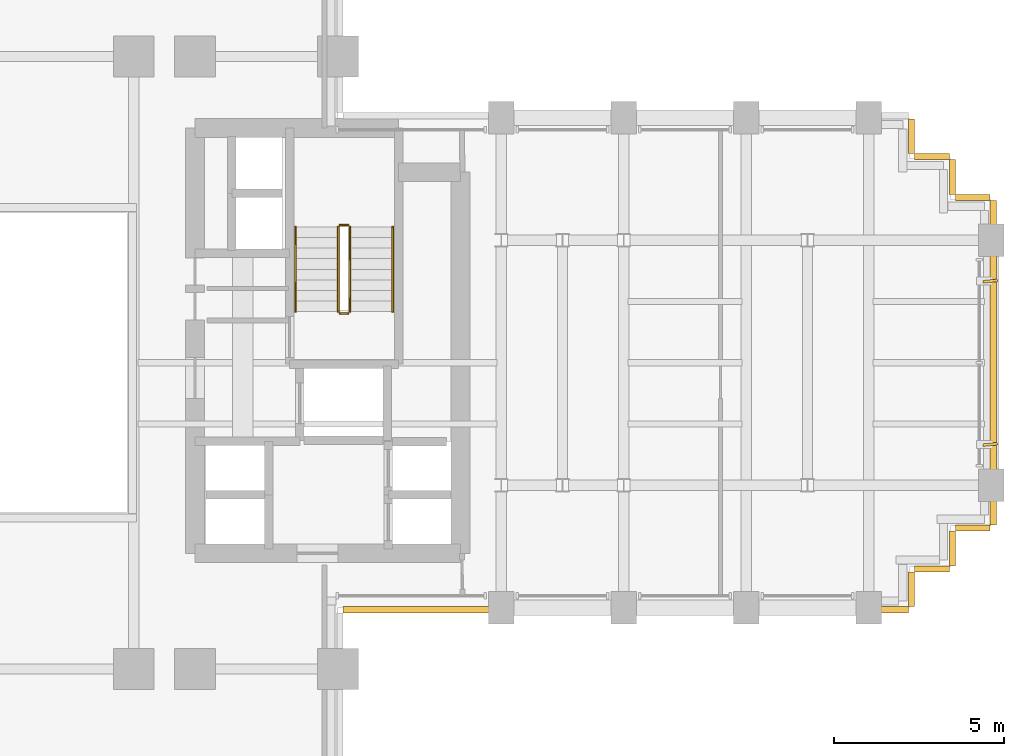
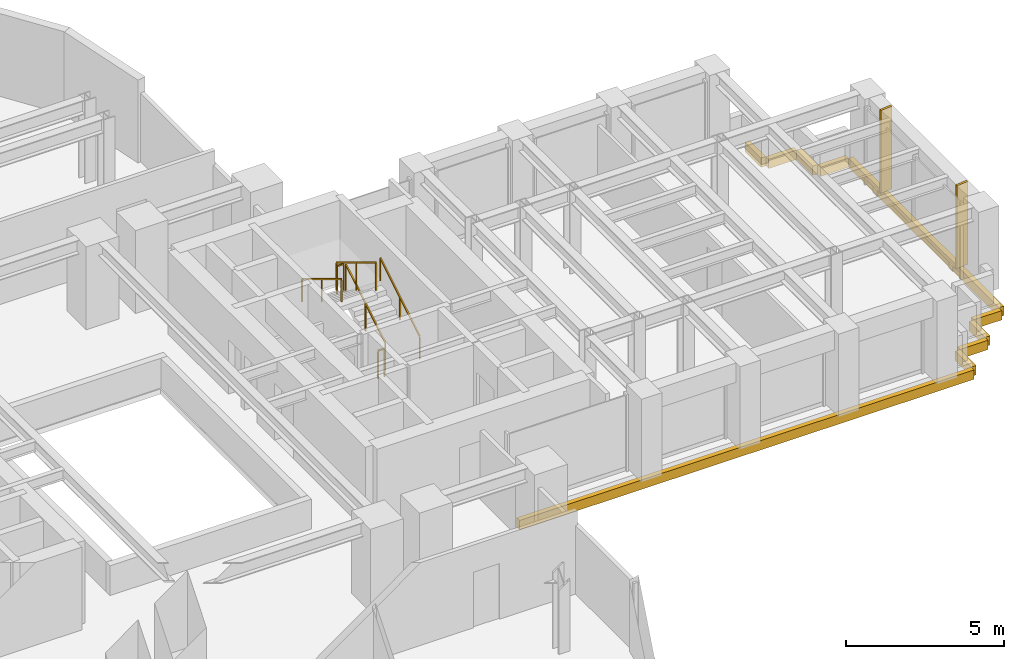
# One storey, part 15 of 16: 10 coverings, 6 railings, 2 shading devices.
"""IFC4 building model written with IfcOpenShell, lengths in metres."""

from ifc_helpers import new_model, si_unit, direction, frame, origin, origin_2d, place, context, subcontext, project, spatial, rectangle, extrude, source, transform, mapped, material, layer, layer_set, type_object, element, save


model = new_model("IFC4")

# Units and contexts
model_context = context("Model", 3, precision=1e-05, world=origin(), true_north=direction((0.0, 1.0)))
body_context = subcontext(model_context, "Body", "Model", "MODEL_VIEW")
ifc_project = project(units=[si_unit("LENGTHUNIT", "METRE"), si_unit("AREAUNIT", "SQUARE_METRE"), si_unit("VOLUMEUNIT", "CUBIC_METRE"), si_unit("PLANEANGLEUNIT", "RADIAN"), si_unit("MASSUNIT", "GRAM", prefix="KILO")], contexts=[model_context])

# Site, building, storey
site_placement = place(None, origin())
site = spatial("IfcSite", under=ifc_project, at=site_placement, CompositionType="ELEMENT")
building_placement = place(site_placement, origin())
building = spatial("IfcBuilding", under=site, at=building_placement, Name="Keilestroom Media Tower", CompositionType="ELEMENT")
storey_placement = place(building_placement, frame((0.0, 0.0, 57.800048828125)))
storey = spatial("IfcBuildingStorey", under=building, at=storey_placement, Name="L14", CompositionType="ELEMENT", Elevation=57.800048828125)

# Railings
ifc_material_1 = material(Name="Brushed Stainless Steel 1.4301", Category="steel")
railing_type_1 = type_object("IfcRailingType", Name="Stair-Pitch-Handrail-920", PredefinedType="HANDRAIL", material=ifc_material_1)
railing_1_placement = place(storey_placement, frame((11.2099609375, 1.5, 0.188720703125)))
element("IfcRailing", 1, at=railing_1_placement, inside=storey, type_object=railing_type_1, Name="L14 ST-2 stair handrail 1", PredefinedType="HANDRAIL", context=body_context, shape_type="SweptSolid", body=[
    extrude(rectangle(XDim=0.048095703125, YDim=0.048095703125, at=origin_2d()), frame((0.0, 0.0, 0.8759765625), z_axis=(0.0, 0.855433747314, 0.517912255074), x_axis=(-1.0, 0.0, 0.0)), (0.0, 0.0, 1.0), 2.91796875),
    extrude(rectangle(XDim=0.0419921875, YDim=0.0419921875, at=origin_2d()), origin(), (0.0, 0.0, 1.0), 0.84375),
    extrude(rectangle(XDim=0.0419921875, YDim=0.0419921875, at=origin_2d()), frame((0.0, 1.248046875, 0.755615234375)), (0.0, 0.0, 1.0), 0.84375),
    extrude(rectangle(XDim=0.0419921875, YDim=0.0419921875, at=origin_2d()), frame((0.0, 2.49609375, 1.51123046875)), (0.0, 0.0, 1.0), 0.84375),
])
railing_2_placement = place(storey_placement, frame((8.35009765625, 3.99609375, 1.888916015625)))
element("IfcRailing", 2, at=railing_2_placement, inside=storey, type_object=railing_type_1, Name="L14 ST-2 stair handrail 2", PredefinedType="HANDRAIL", context=body_context, shape_type="SweptSolid", body=[
    extrude(rectangle(XDim=0.048095703125, YDim=0.048095703125, at=origin_2d()), frame((0.0, 0.0, 0.8759765625), z_axis=(0.0, -0.855470815493, 0.517851024754), x_axis=(1.0, 0.0, 0.0)), (0.0, 0.0, 1.0), 2.917724609375),
    extrude(rectangle(XDim=0.0419921875, YDim=0.0419921875, at=origin_2d()), origin(), (0.0, 0.0, 1.0), 0.84375),
    extrude(rectangle(XDim=0.0419921875, YDim=0.0419921875, at=origin_2d()), frame((0.0, -1.248046875, 0.75537109375)), (0.0, 0.0, 1.0), 0.84375),
    extrude(rectangle(XDim=0.0419921875, YDim=0.0419921875, at=origin_2d()), frame((0.0, -2.49609375, 1.510986328125)), (0.0, 0.0, 1.0), 0.84375),
])
ifc_material_2 = material(Name="Painted Steel Balustrade", Category="steel")
railing_type_2 = type_object("IfcRailingType", Name="Stair-Well-And-Landing-Guard-1100", PredefinedType="GUARDRAIL", material=ifc_material_2)
railing_3_placement = place(storey_placement, frame((9.949951171875, 1.5, 0.188720703125)))
element("IfcRailing", 3, at=railing_3_placement, inside=storey, type_object=railing_type_2, Name="L14 ST-2 stair guard 1", PredefinedType="GUARDRAIL", context=body_context, shape_type="SweptSolid", body=[
    extrude(rectangle(XDim=0.048095703125, YDim=0.048095703125, at=origin_2d()), frame((0.0, 0.0, 1.076171875), z_axis=(0.0, 0.855433747314, 0.517912255074), x_axis=(-1.0, 0.0, 0.0)), (0.0, 0.0, 1.0), 2.91796875),
    extrude(rectangle(XDim=0.0419921875, YDim=0.0419921875, at=origin_2d()), origin(), (0.0, 0.0, 1.0), 1.0439453125),
    extrude(rectangle(XDim=0.0419921875, YDim=0.0419921875, at=origin_2d()), frame((0.0, 1.248046875, 0.755615234375)), (0.0, 0.0, 1.0), 1.0439453125),
    extrude(rectangle(XDim=0.0419921875, YDim=0.0419921875, at=origin_2d()), frame((0.0, 2.49609375, 1.51123046875)), (0.0, 0.0, 1.0), 1.0439453125),
])
railing_4_placement = place(storey_placement, frame((9.89990234375, 4.0458984375, 1.699951171875)))
element("IfcRailing", 4, at=railing_4_placement, inside=storey, type_object=railing_type_2, Name="L14 ST-2 stair guard 2", PredefinedType="GUARDRAIL", context=body_context, shape_type="SweptSolid", body=[
    extrude(rectangle(XDim=0.048095703125, YDim=0.048095703125, at=origin_2d()), frame((0.0, 0.0, 1.076171875), z_axis=(-1.0, 0.0, 0.0), x_axis=(0.0, -1.0, 0.0)), (0.0, 0.0, 1.0), 0.239990234375),
    extrude(rectangle(XDim=0.0419921875, YDim=0.0419921875, at=origin_2d()), origin(), (0.0, 0.0, 1.0), 1.0439453125),
    extrude(rectangle(XDim=0.0419921875, YDim=0.0419921875, at=origin_2d()), frame((-0.239990234375, 0.0, 0.0)), (0.0, 0.0, 1.0), 1.0439453125),
])
railing_5_placement = place(storey_placement, frame((9.610107421875, 3.99609375, 1.888916015625)))
element("IfcRailing", 5, at=railing_5_placement, inside=storey, type_object=railing_type_2, Name="L14 ST-2 stair guard 3", PredefinedType="GUARDRAIL", context=body_context, shape_type="SweptSolid", body=[
    extrude(rectangle(XDim=0.048095703125, YDim=0.048095703125, at=origin_2d()), frame((0.0, 0.0, 1.076171875), z_axis=(0.0, -0.855470815493, 0.517851024754), x_axis=(1.0, 0.0, 0.0)), (0.0, 0.0, 1.0), 2.917724609375),
    extrude(rectangle(XDim=0.0419921875, YDim=0.0419921875, at=origin_2d()), origin(), (0.0, 0.0, 1.0), 1.0439453125),
    extrude(rectangle(XDim=0.0419921875, YDim=0.0419921875, at=origin_2d()), frame((0.0, -1.248046875, 0.75537109375)), (0.0, 0.0, 1.0), 1.0439453125),
    extrude(rectangle(XDim=0.0419921875, YDim=0.0419921875, at=origin_2d()), frame((0.0, -2.49609375, 1.510986328125)), (0.0, 0.0, 1.0), 1.0439453125),
])
railing_6_placement = place(storey_placement, frame((9.89990234375, 1.449951171875, 0.0)))
element("IfcRailing", 6, at=railing_6_placement, inside=storey, type_object=railing_type_2, Name="L14 ST-2 stair guard 4", PredefinedType="GUARDRAIL", context=body_context, shape_type="SweptSolid", body=[
    extrude(rectangle(XDim=0.048095703125, YDim=0.048095703125, at=origin_2d()), frame((0.0, 0.0, 1.076171875), z_axis=(-1.0, 0.0, 0.0), x_axis=(0.0, -1.0, 0.0)), (0.0, 0.0, 1.0), 0.239990234375),
    extrude(rectangle(XDim=0.0419921875, YDim=0.0419921875, at=origin_2d()), origin(), (0.0, 0.0, 1.0), 1.0439453125),
    extrude(rectangle(XDim=0.0419921875, YDim=0.0419921875, at=origin_2d()), frame((-0.239990234375, 0.0, 0.0)), (0.0, 0.0, 1.0), 1.0439453125),
])

# Shading devices
ifc_material_3 = material(Name="Bronze Anodised Aluminium", Category="aluminium")
shading_device_type = type_object("IfcShadingDeviceType", Name="Facade-Vertical-Sunshade-Fin-SHD-1", PredefinedType="USERDEFINED", material=ifc_material_3)
shared_shape_1 = source(origin(), body_context, "Body", "SweptSolid", [
    extrude(rectangle(XDim=0.419921875, YDim=0.080078125, at=origin_2d()), origin(), (0.0, 0.0, 1.0), 3.199951171875),
])
for number, where, z_axis, x_axis, name in (
    (7, (28.77001953125, -2.39990234375, 0.0), (0.0, 0.0, 1.0), (0.994985989212, 0.100014405321, 0.0), "L14 Twisting Sunshade Fin SHD-1 015"),
    (8, (28.77001953125, 2.39990234375, 0.0), (0.0, 0.0, 1.0), (0.994985989212, 0.100014405321, 0.0), "L14 Twisting Sunshade Fin SHD-1 016"),
):
    element("IfcShadingDevice", number, at=place(storey_placement, frame(where, z_axis=z_axis, x_axis=x_axis)), inside=storey, type_object=shading_device_type, Name=name, ObjectType="SUNSHADE", PredefinedType="USERDEFINED", context=body_context, shape_type="MappedRepresentation", body=[
        mapped(shared_shape_1, transform((0.0, 0.0, 0.0), x_axis=(1.0, 0.0, 0.0), y_axis=(0.0, 1.0, 0.0), z_axis=(0.0, 0.0, 1.0), scale=1.0)),
    ])

# Coverings
ifc_material_4 = material(Name="Precast concrete C40/50", Category="concrete")
ifc_layer = layer(ifc_material_4, 0.1201171875)
ifc_layer_set = layer_set([ifc_layer], Name="Precast concrete C40/50")
covering_type = type_object("IfcCoveringType", Name="Exterior-Precast-Spandrel-Cladding-Panel-120", PredefinedType="CLADDING", material=ifc_layer_set)
shared_shape_2 = source(origin(), body_context, "Body", "SweptSolid", [
    extrude(rectangle(XDim=1.02001953125, YDim=0.179931640625, at=origin_2d()), origin(), (0.0, 0.0, 1.0), 0.360107421875),
])
for number, where, z_axis, x_axis, name in (
    (9, (28.260009765625, -4.860107421875, -0.5400390625), (0.0, 0.0, 1.0), (-1.0, 0.0, 0.0), "L14 Precast Slab-Edge Fascia Cornice 01"),
    (10, (27.659912109375, -5.4599609375, -0.5400390625), (0.0, 0.0, 1.0), (0.0, -1.0, 0.0), "L14 Precast Slab-Edge Fascia Cornice 02"),
    (11, (27.06005859375, -6.06005859375, -0.5400390625), (0.0, 0.0, 1.0), (-1.0, 0.0, 0.0), "L14 Precast Slab-Edge Fascia Cornice 03"),
    (12, (26.4599609375, -6.659912109375, -0.5400390625), (0.0, 0.0, 1.0), (0.0, -1.0, 0.0), "L14 Precast Slab-Edge Fascia Cornice 04"),
    (13, (26.4599609375, 6.659912109375, -0.5400390625), (0.0, 0.0, 1.0), (0.0, -1.0, 0.0), "L14 Precast Slab-Edge Fascia Cornice 38"),
    (14, (27.06005859375, 6.06005859375, -0.5400390625), (0.0, 0.0, 1.0), (1.0, 0.0, 0.0), "L14 Precast Slab-Edge Fascia Cornice 39"),
    (15, (27.659912109375, 5.4599609375, -0.5400390625), (0.0, 0.0, 1.0), (0.0, -1.0, 0.0), "L14 Precast Slab-Edge Fascia Cornice 40"),
    (16, (28.260009765625, 4.860107421875, -0.5400390625), (0.0, 0.0, 1.0), (1.0, 0.0, 0.0), "L14 Precast Slab-Edge Fascia Cornice 41"),
):
    element("IfcCovering", number, at=place(storey_placement, frame(where, z_axis=z_axis, x_axis=x_axis)), inside=storey, type_object=covering_type, Name=name, PredefinedType="CLADDING", context=body_context, shape_type="MappedRepresentation", body=[
        mapped(shared_shape_2, transform((0.0, 0.0, 0.0), x_axis=(1.0, 0.0, 0.0), y_axis=(0.0, 1.0, 0.0), z_axis=(0.0, 0.0, 1.0), scale=1.0)),
    ])
shared_shape_3 = source(origin(), body_context, "Body", "SweptSolid", [
    extrude(rectangle(XDim=16.6201171875, YDim=0.179931640625, at=origin_2d()), origin(), (0.0, 0.0, 1.0), 0.360107421875),
])
covering_1_placement = place(storey_placement, frame((18.06005859375, -7.260009765625, -0.5400390625), z_axis=(0.0, 0.0, 1.0), x_axis=(-1.0, 0.0, 0.0)))
element("IfcCovering", 17, at=covering_1_placement, inside=storey, type_object=covering_type, Name="L14 Precast Slab-Edge Fascia Cornice 05", PredefinedType="CLADDING", context=body_context, shape_type="MappedRepresentation", body=[
    mapped(shared_shape_3, transform((0.0, 0.0, 0.0), x_axis=(1.0, 0.0, 0.0), y_axis=(0.0, 1.0, 0.0), z_axis=(0.0, 0.0, 1.0), scale=1.0)),
])
shared_shape_4 = source(origin(), body_context, "Body", "SweptSolid", [
    extrude(rectangle(XDim=9.5400390625, YDim=0.179931640625, at=origin_2d()), origin(), (0.0, 0.0, 1.0), 0.360107421875),
])
covering_2_placement = place(storey_placement, frame((28.860107421875, 0.0, -0.5400390625), z_axis=(0.0, 0.0, 1.0), x_axis=(0.0, -1.0, 0.0)))
element("IfcCovering", 18, at=covering_2_placement, inside=storey, type_object=covering_type, Name="L14 Precast Slab-Edge Fascia Cornice 42", PredefinedType="CLADDING", context=body_context, shape_type="MappedRepresentation", body=[
    mapped(shared_shape_4, transform((0.0, 0.0, 0.0), x_axis=(1.0, 0.0, 0.0), y_axis=(0.0, 1.0, 0.0), z_axis=(0.0, 0.0, 1.0), scale=1.0)),
])

save(model, "model.ifc")
